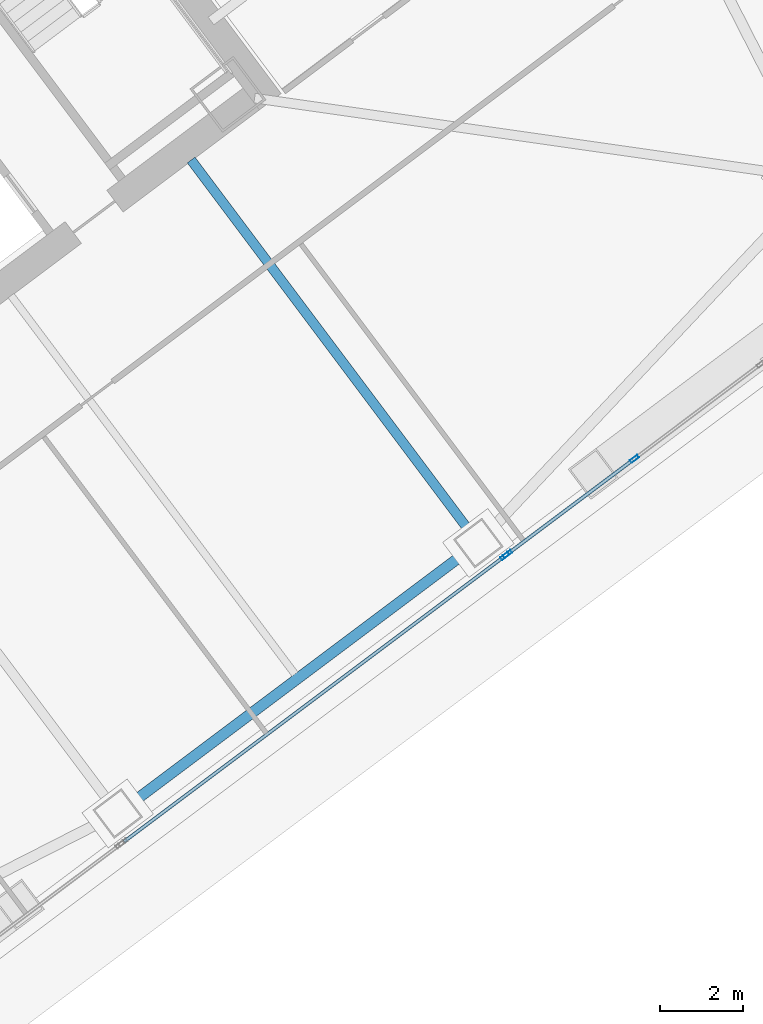
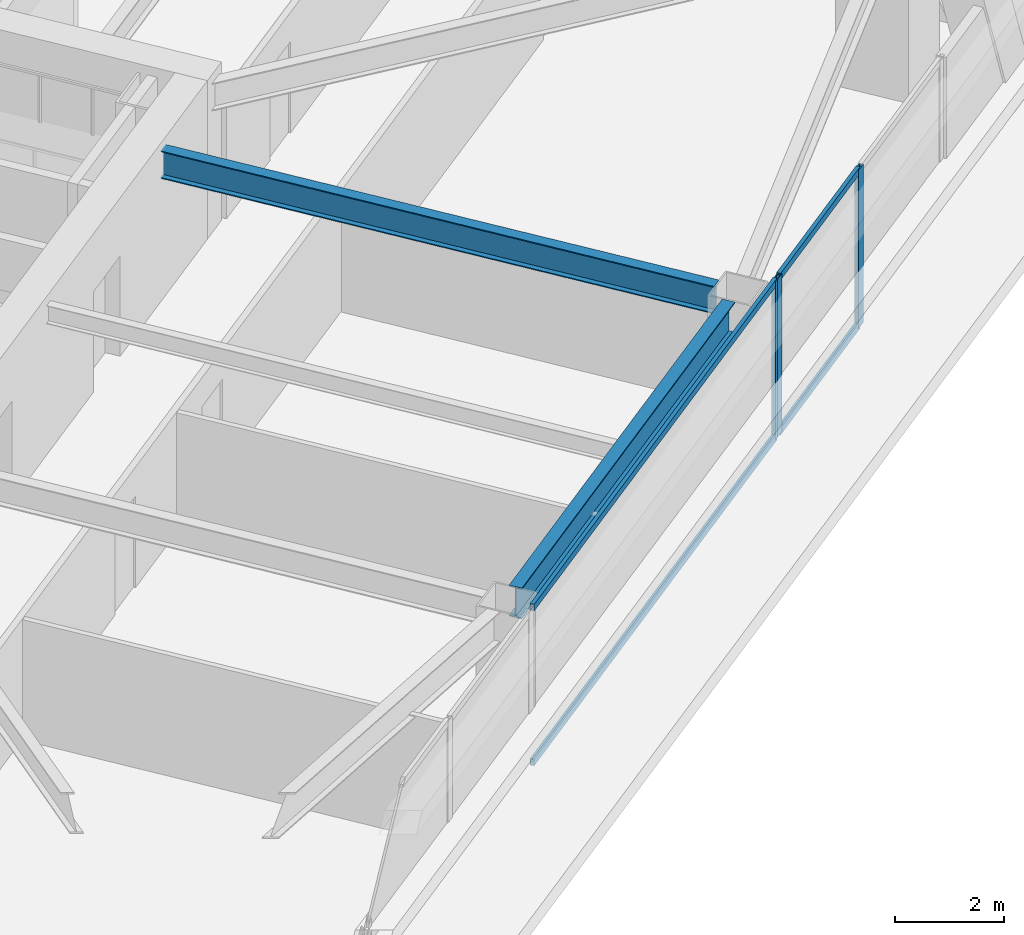
# One storey, part 40 of 67: 7 members, 2 beams, 2 elements without a shape of their own.
"""IFC4 building model written with IfcOpenShell, lengths in metres."""

from ifc_helpers import new_model, si_unit, direction, frame, origin, origin_2d, place, context, subcontext, project, spatial, hollow_rectangle, i_section, extrude, material, material_profile, profile_set, type_object, element, aggregate, save


model = new_model("IFC4")

# Units and contexts
model_context = context("Model", 3, precision=1e-05, world=origin(), true_north=direction((0.0, 1.0)))
body_context = subcontext(model_context, "Body", "Model", "MODEL_VIEW")
ifc_project = project(units=[si_unit("LENGTHUNIT", "METRE"), si_unit("AREAUNIT", "SQUARE_METRE"), si_unit("VOLUMEUNIT", "CUBIC_METRE"), si_unit("PLANEANGLEUNIT", "RADIAN"), si_unit("MASSUNIT", "GRAM", prefix="KILO")], contexts=[model_context])

# Site, building, storey
site_placement = place(None, origin())
site = spatial("IfcSite", under=ifc_project, at=site_placement, CompositionType="ELEMENT")
building_placement = place(site_placement, origin())
building = spatial("IfcBuilding", under=site, at=building_placement, Name="Tashvorn Skyway Center", CompositionType="ELEMENT")
storey_placement = place(building_placement, frame((0.0, 0.0, 67.199951171875)))
storey = spatial("IfcBuildingStorey", under=building, at=storey_placement, Name="L17", CompositionType="ELEMENT", Elevation=67.199951171875)

# Beams
ifc_material_1 = material(Name="Steel ASTM A992 Grade 50", Category="steel")
ifc_material_profile_1 = material_profile(ifc_material_1, i_section(OverallWidth=0.22998046875, OverallDepth=0.616943359375, WebThickness=0.01318359375, FlangeThickness=0.022216796875, at=origin_2d()), Name="W24X94")
ifc_profile_set_1 = profile_set([ifc_material_profile_1], Name="Steel ASTM A992 Grade 50")
beam_type_1 = type_object("IfcBeamType", Name="BM-BEAM-W24X94", PredefinedType="BEAM", material=ifc_profile_set_1)
beam_1_placement = place(storey_placement, frame((129.617919921875, 20.176025390625, 3.04150390625), z_axis=(-0.599989394744, 0.800007953832, 0.0), x_axis=(-0.800007953832, -0.599989394744, 0.0)))
element("IfcBeam", 1, at=beam_1_placement, inside=storey, type_object=beam_type_1, Name="Tower 2 L17 Primary Floor Girder FC-S2", PredefinedType="BEAM", context=body_context, shape_type="SweptSolid", body=[
    extrude(i_section(OverallWidth=0.22998046875, OverallDepth=0.616943359375, WebThickness=0.01318359375, FlangeThickness=0.022216796875, at=origin_2d()), origin(), (0.0, 0.0, 1.0), 11.050048828125),
])
ifc_material_profile_2 = material_profile(ifc_material_1, i_section(OverallWidth=0.256103515625, OverallDepth=0.693115234375, WebThickness=0.014404296875, FlangeThickness=0.023681640625, at=origin_2d()), Name="W27X114")
ifc_profile_set_2 = profile_set([ifc_material_profile_2], Name="Steel ASTM A992 Grade 50")
beam_type_2 = type_object("IfcBeamType", Name="BM-SPANDREL-W27X114", PredefinedType="SPANDREL", material=ifc_profile_set_2)
beam_2_placement = place(storey_placement, frame((121.56591796875, 13.612060546875, 3.003662109375), z_axis=(0.800008824351, 0.599988234018, 0.0), x_axis=(-0.599988234018, 0.800008824351, 0.0)))
element("IfcBeam", 2, at=beam_2_placement, inside=storey, type_object=beam_type_2, Name="Tower 2 L17 Spandrel Beam 02", PredefinedType="SPANDREL", context=body_context, shape_type="SweptSolid", body=[
    extrude(i_section(OverallWidth=0.256103515625, OverallDepth=0.693115234375, WebThickness=0.014404296875, FlangeThickness=0.023681640625, at=origin_2d()), origin(), (0.0, 0.0, 1.0), 9.9599609375),
])

# Curtain wall, members
ifc_material_2 = material(Name="Thermally broken bronze-anodized aluminium 6063-T6", Category="aluminium")
curtain_wall_type = type_object("IfcCurtainWallType", Name="CW-CW-Z2", PredefinedType="NOTDEFINED", material=ifc_material_2)
curtain_wall_1_placement = place(storey_placement, origin())
curtain_wall_1 = element("IfcCurtainWall", 3, at=curtain_wall_1_placement, inside=storey, type_object=curtain_wall_type, Name="Tower 2 L17 South Unitised Curtain Wall Glazing Group 1", PredefinedType="NOTDEFINED")
ifc_material_profile_3 = material_profile(ifc_material_2, hollow_rectangle(XDim=0.080078125, YDim=0.219970703125, WallThickness=0.0048828125, at=origin_2d()), Name="ALU-MULL-80x220")
ifc_profile_set_3 = profile_set([ifc_material_profile_3], Name="Thermally broken bronze-anodized aluminium 6063-T6")
member_type_1 = type_object("IfcMemberType", Name="CWM-CW-Z2", PredefinedType="MULLION", material=ifc_profile_set_3)
member_1_placement = place(storey_placement, frame((133.60791015625, 21.85595703125, 0.0), z_axis=(0.0, 0.0, 1.0), x_axis=(0.600000000002, -0.799999999998, 0.0)))
member_1 = element("IfcMember", 4, at=member_1_placement, type_object=member_type_1, Name="CW-Z2 mullion 2", PredefinedType="MULLION", context=body_context, shape_type="SweptSolid", body=[
    extrude(hollow_rectangle(XDim=0.080078125, YDim=0.219970703125, WallThickness=0.0048828125, at=origin_2d()), origin(), (0.0, 0.0, 1.0), 3.550048828125),
])
member_2_placement = place(storey_placement, frame((130.568115234375, 19.575927734375, 0.0), z_axis=(0.0, 0.0, 1.0), x_axis=(0.600000000002, -0.799999999998, 0.0)))
member_2 = element("IfcMember", 5, at=member_2_placement, type_object=member_type_1, Name="CW-Z2 mullion 3", PredefinedType="MULLION", context=body_context, shape_type="SweptSolid", body=[
    extrude(hollow_rectangle(XDim=0.080078125, YDim=0.219970703125, WallThickness=0.0048828125, at=origin_2d()), origin(), (0.0, 0.0, 1.0), 3.550048828125),
])

# Curtain wall, member
curtain_wall_2_placement = place(storey_placement, origin())
curtain_wall_2 = element("IfcCurtainWall", 6, at=curtain_wall_2_placement, inside=storey, type_object=curtain_wall_type, Name="Tower 2 L17 South Unitised Curtain Wall Glazing Group 2", PredefinedType="NOTDEFINED")
member_3_placement = place(storey_placement, frame((130.50390625, 19.528076171875, 0.0), z_axis=(0.0, 0.0, 1.0), x_axis=(0.600000000002, -0.799999999998, 0.0)))
member_3 = element("IfcMember", 7, at=member_3_placement, type_object=member_type_1, Name="CW-Z2 mullion 1", PredefinedType="MULLION", context=body_context, shape_type="SweptSolid", body=[
    extrude(hollow_rectangle(XDim=0.080078125, YDim=0.219970703125, WallThickness=0.0048828125, at=origin_2d()), origin(), (0.0, 0.0, 1.0), 3.550048828125),
])

# Member
ifc_material_profile_4 = material_profile(ifc_material_2, hollow_rectangle(XDim=0.080078125, YDim=0.14990234375, WallThickness=0.00439453125, at=origin_2d()), Name="ALU-TRAN-80x150")
ifc_profile_set_4 = profile_set([ifc_material_profile_4], Name="Thermally broken bronze-anodized aluminium 6063-T6")
member_type_2 = type_object("IfcMemberType", Name="CWT-CW-Z2", PredefinedType="USERDEFINED", material=ifc_profile_set_4)
member_4_placement = place(storey_placement, frame((133.575927734375, 21.83203125, 0.0400390625), z_axis=(-0.799992124055, -0.600010501117, 0.0), x_axis=(0.600010501117, -0.799992124055, 0.0)))
member_4 = element("IfcMember", 8, at=member_4_placement, type_object=member_type_2, Name="CW-Z2 transom 2.1", ObjectType="TRANSOM", PredefinedType="USERDEFINED", context=body_context, shape_type="SweptSolid", body=[
    extrude(hollow_rectangle(XDim=0.080078125, YDim=0.14990234375, WallThickness=0.00439453125, at=origin_2d()), origin(), (0.0, 0.0, 1.0), 3.7197265625),
])

member_5_placement = place(storey_placement, frame((133.575927734375, 21.83203125, 3.510009765625), z_axis=(-0.799992124055, -0.600010501117, 0.0), x_axis=(0.600010501117, -0.799992124055, 0.0)))
member_5 = element("IfcMember", 9, at=member_5_placement, type_object=member_type_2, Name="CW-Z2 transom 2.2", ObjectType="TRANSOM", PredefinedType="USERDEFINED", context=body_context, shape_type="SweptSolid", body=[
    extrude(hollow_rectangle(XDim=0.080078125, YDim=0.14990234375, WallThickness=0.00439453125, at=origin_2d()), origin(), (0.0, 0.0, 1.0), 3.7197265625),
])

aggregate(curtain_wall_1, [member_1, member_2, member_4, member_5])

member_6_placement = place(storey_placement, frame((130.471923828125, 19.50390625, 0.0400390625), z_axis=(-0.8, -0.6, 0.0), x_axis=(0.6, -0.8, 0.0)))
member_6 = element("IfcMember", 10, at=member_6_placement, type_object=member_type_2, Name="CW-Z2 transom 1.1", ObjectType="TRANSOM", PredefinedType="USERDEFINED", context=body_context, shape_type="SweptSolid", body=[
    extrude(hollow_rectangle(XDim=0.080078125, YDim=0.14990234375, WallThickness=0.00439453125, at=origin_2d()), origin(), (0.0, 0.0, 1.0), 11.35986328125),
])

member_7_placement = place(storey_placement, frame((130.471923828125, 19.50390625, 3.510009765625), z_axis=(-0.8, -0.6, 0.0), x_axis=(0.6, -0.8, 0.0)))
member_7 = element("IfcMember", 11, at=member_7_placement, type_object=member_type_2, Name="CW-Z2 transom 1.2", ObjectType="TRANSOM", PredefinedType="USERDEFINED", context=body_context, shape_type="SweptSolid", body=[
    extrude(hollow_rectangle(XDim=0.080078125, YDim=0.14990234375, WallThickness=0.00439453125, at=origin_2d()), origin(), (0.0, 0.0, 1.0), 11.35986328125),
])

aggregate(curtain_wall_2, [member_3, member_6, member_7])

save(model, "model.ifc")
